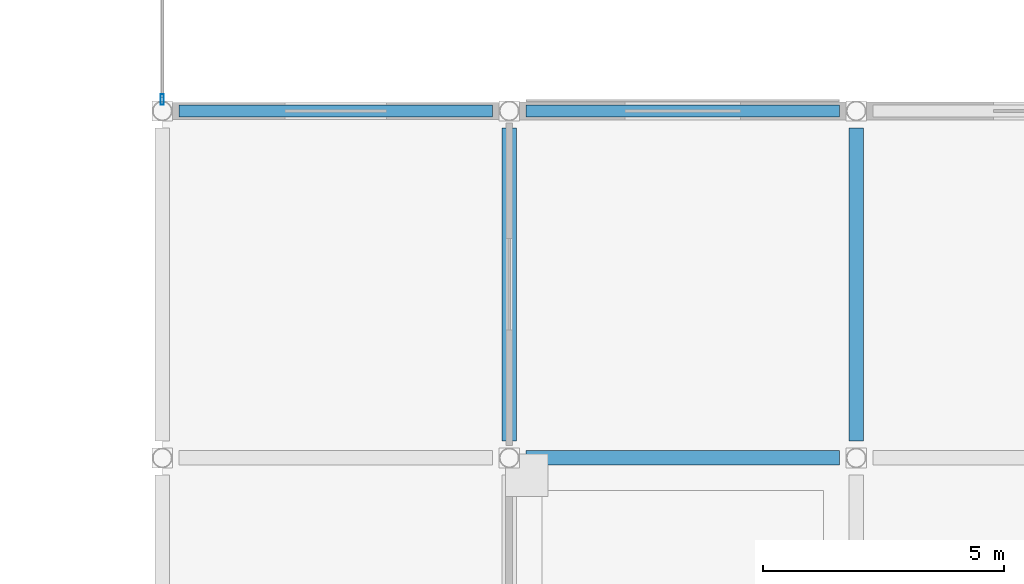
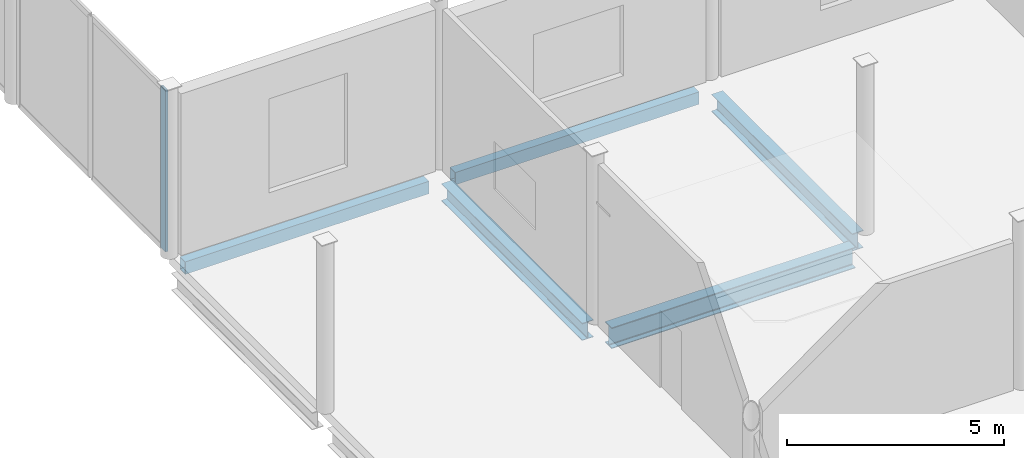
# One storey, part 77 of 120: 5 beams, 1 member, 1 element without a shape of its own.
"""IFC4 building model written with IfcOpenShell, lengths in metres."""

from ifc_helpers import new_model, si_unit, direction, frame, origin, origin_2d, place, context, subcontext, project, spatial, hollow_rectangle, i_section, extrude, material, material_profile, profile_set, type_object, element, aggregate, save


model = new_model("IFC4")

# Units and contexts
model_context = context("Model", 3, precision=1e-05, world=origin(), true_north=direction((0.0, 1.0)))
body_context = subcontext(model_context, "Body", "Model", "MODEL_VIEW")
ifc_project = project(units=[si_unit("LENGTHUNIT", "METRE"), si_unit("AREAUNIT", "SQUARE_METRE"), si_unit("VOLUMEUNIT", "CUBIC_METRE"), si_unit("PLANEANGLEUNIT", "RADIAN"), si_unit("MASSUNIT", "GRAM", prefix="KILO")], contexts=[model_context])

# Site, building, storey
site_placement = place(None, origin())
site = spatial("IfcSite", under=ifc_project, at=site_placement, CompositionType="ELEMENT")
building_placement = place(site_placement, origin())
building = spatial("IfcBuilding", under=site, at=building_placement, Name="Vesperath Aquatics Centre", CompositionType="ELEMENT")
storey_placement = place(building_placement, frame((0.0, 0.0, 10.199951171875)))
storey = spatial("IfcBuildingStorey", under=building, at=storey_placement, Name="L02", CompositionType="ELEMENT", Elevation=10.199951171875)

# Beams
ifc_material_1 = material(Name="Steel Q355C", Category="steel")
ifc_material_profile_1 = material_profile(ifc_material_1, i_section(OverallWidth=0.300048828125, OverallDepth=0.587890625, WebThickness=0.011962890625, FlangeThickness=0.02001953125, FilletRadius=0.028076171875, at=origin_2d()), Name="HM 588x300x12x20")
ifc_profile_set_1 = profile_set([ifc_material_profile_1], Name="Steel Q355C")
beam_type_1 = type_object("IfcBeamType", Name="BM-G09", PredefinedType="BEAM", material=ifc_profile_set_1)
beam_placement = place(storey_placement, frame((151.550048828125, 86.39990234375, -0.553955078125), z_axis=(1.0, 0.0, 0.0), x_axis=(0.0, 1.0, 0.0)))
element("IfcBeam", 1, at=beam_placement, inside=storey, type_object=beam_type_1, Name="Floor Girder B09 L02 N 22-23", PredefinedType="BEAM", context=body_context, shape_type="SweptSolid", body=[
    extrude(i_section(OverallWidth=0.300048828125, OverallDepth=0.587890625, WebThickness=0.011962890625, FlangeThickness=0.02001953125, FilletRadius=0.028076171875, at=origin_2d()), origin(), (0.0, 0.0, 1.0), 6.5),
])
ifc_material_profile_2 = material_profile(ifc_material_1, i_section(OverallWidth=0.300048828125, OverallDepth=0.488037109375, WebThickness=0.010986328125, FlangeThickness=0.01806640625, FilletRadius=0.02587890625, at=origin_2d()), Name="HM 488x300x11x18")
ifc_profile_set_2 = profile_set([ifc_material_profile_2], Name="Steel Q355C")
beam_type_2 = type_object("IfcBeamType", Name="BM-G10", PredefinedType="BEAM", material=ifc_profile_set_2)
for number, where, z_axis, x_axis, name in (
    (2, (151.199951171875, 86.75, -0.50390625), (0.0, 1.0, 0.0), (-1.0, 0.0, 0.0), "Floor Girder B10 L02 22 N-P"),
    (3, (158.39990234375, 86.75, -0.50390625), (0.0, 1.0, 0.0), (-1.0, 0.0, 0.0), "Floor Girder B10 L02 23 N-P"),
):
    element("IfcBeam", number, at=place(storey_placement, frame(where, z_axis=z_axis, x_axis=x_axis)), inside=storey, type_object=beam_type_2, Name=name, PredefinedType="BEAM", context=body_context, shape_type="SweptSolid", body=[
        extrude(i_section(OverallWidth=0.300048828125, OverallDepth=0.488037109375, WebThickness=0.010986328125, FlangeThickness=0.01806640625, FilletRadius=0.02587890625, at=origin_2d()), origin(), (0.0, 0.0, 1.0), 6.5),
    ])
ifc_material_2 = material(Name="Steel Q355D", Category="steel")
ifc_material_profile_3 = material_profile(ifc_material_2, hollow_rectangle(XDim=0.25, YDim=0.35009765625, WallThickness=0.011962890625, at=origin_2d()), Name="RHS 350x250x12")
ifc_profile_set_3 = profile_set([ifc_material_profile_3], Name="Steel Q355D")
beam_type_3 = type_object("IfcBeamType", Name="BM-SP02", PredefinedType="SPANDREL", material=ifc_profile_set_3)
for number, where, z_axis, x_axis, name in (
    (4, (144.35009765625, 93.60009765625, -0.43505859375), (1.0, 0.0, 0.0), (0.0, 1.0, 0.0), "Floor Girder SP02 L02 P 21-22"),
    (5, (151.550048828125, 93.60009765625, -0.43505859375), (1.0, 0.0, 0.0), (0.0, 1.0, 0.0), "Floor Girder SP02 L02 P 22-23"),
):
    element("IfcBeam", number, at=place(storey_placement, frame(where, z_axis=z_axis, x_axis=x_axis)), inside=storey, type_object=beam_type_3, Name=name, PredefinedType="SPANDREL", context=body_context, shape_type="SweptSolid", body=[
        extrude(hollow_rectangle(XDim=0.25, YDim=0.35009765625, WallThickness=0.011962890625, at=origin_2d()), origin(), (0.0, 0.0, 1.0), 6.5),
    ])

# Curtain wall, member
ifc_material_3 = material(Name="Thermally broken anodised bronze aluminium curtain wall", Category="aluminium")
curtain_wall_type = type_object("IfcCurtainWallType", Name="CW-06", PredefinedType="NOTDEFINED", material=ifc_material_3)
curtain_wall_placement = place(storey_placement, origin())
curtain_wall = element("IfcCurtainWall", 6, at=curtain_wall_placement, inside=storey, type_object=curtain_wall_type, Name="Facade Curtain Wall CW06 L02_E_20_13", PredefinedType="NOTDEFINED")
ifc_material_4 = material(Name="Thermally broken anodised aluminium", Category="aluminium")
ifc_material_profile_4 = material_profile(ifc_material_4, hollow_rectangle(XDim=0.070068359375, YDim=0.219970703125, WallThickness=0.0048828125, at=origin_2d()), Name="CWM 70x220x5")
ifc_profile_set_4 = profile_set([ifc_material_profile_4], Name="Thermally broken anodised aluminium")
member_type = type_object("IfcMemberType", Name="MB-CWM2", PredefinedType="MULLION", material=ifc_profile_set_4)
member_placement = place(storey_placement, frame((144.0, 93.838134765625, 0.0), z_axis=(0.0, 0.0, 1.0), x_axis=(-1.0, 0.0, 0.0)))
member = element("IfcMember", 7, at=member_placement, type_object=member_type, Name="CW06 mullion 1", PredefinedType="MULLION", context=body_context, shape_type="SweptSolid", body=[
    extrude(hollow_rectangle(XDim=0.070068359375, YDim=0.219970703125, WallThickness=0.0048828125, at=origin_2d()), origin(), (0.0, 0.0, 1.0), 4.56005859375),
])
aggregate(curtain_wall, [member])

save(model, "model.ifc")
